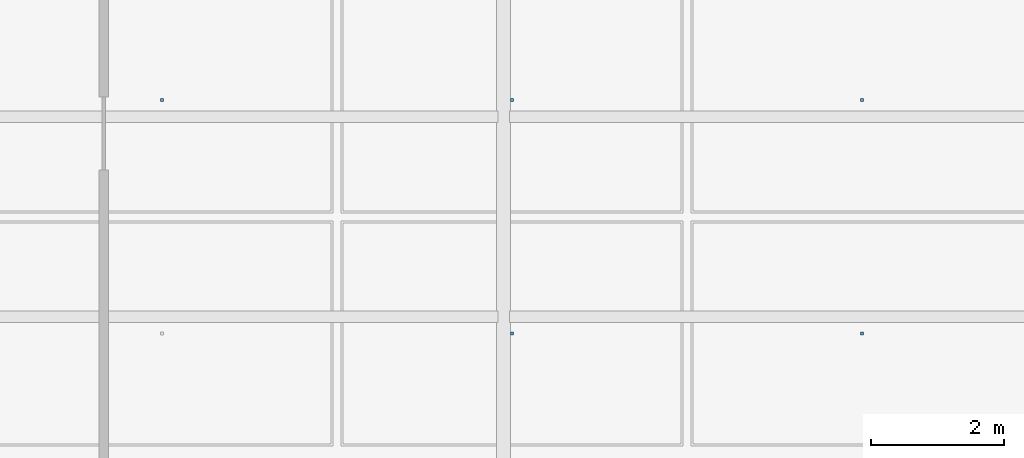
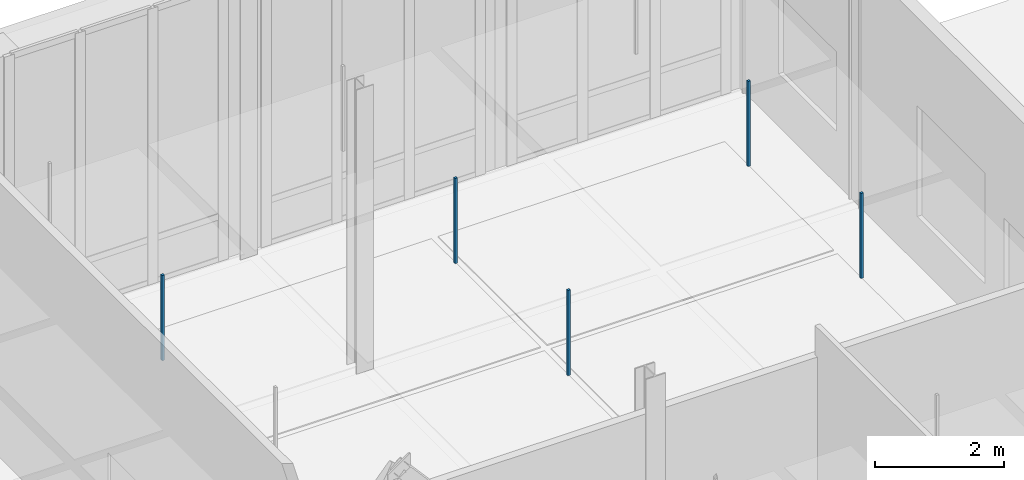
# One storey, part 141 of 180: 5 discrete accessories.
"""IFC4 building model written with IfcOpenShell, lengths in metres."""

from ifc_helpers import new_model, si_unit, direction, frame, origin, origin_2d, place, context, subcontext, project, spatial, rectangle, extrude, material, type_object, element, save


model = new_model("IFC4")

# Units and contexts
model_context = context("Model", 3, precision=1e-05, world=origin(), true_north=direction((0.0, 1.0)))
body_context = subcontext(model_context, "Body", "Model", "MODEL_VIEW")
ifc_project = project(units=[si_unit("LENGTHUNIT", "METRE"), si_unit("AREAUNIT", "SQUARE_METRE"), si_unit("VOLUMEUNIT", "CUBIC_METRE"), si_unit("PLANEANGLEUNIT", "RADIAN"), si_unit("MASSUNIT", "GRAM", prefix="KILO"), si_unit("THERMODYNAMICTEMPERATUREUNIT", "KELVIN"), si_unit("POWERUNIT", "WATT")], contexts=[model_context])

# Site, building, storey
site_placement = place(None, origin())
site = spatial("IfcSite", under=ifc_project, at=site_placement, CompositionType="ELEMENT")
building_placement = place(site_placement, origin())
building = spatial("IfcBuilding", under=site, at=building_placement, Name="Tallowbark Science Centre", CompositionType="ELEMENT")
storey_placement = place(building_placement, origin())
storey = spatial("IfcBuildingStorey", under=building, at=storey_placement, Name="L00", CompositionType="ELEMENT", Elevation=0.0)

# Discrete accessories
ifc_material = material(Name="Galvanised Steel Grade C350L0 (350 MPa)", Category="steel")
discrete_accessory_type = type_object("IfcDiscreteAccessoryType", Name="ACC-CLG-HNG", PredefinedType="BRACKET", material=ifc_material)
for number, where, z_axis, x_axis, name in (
    (1, (84.875, 105.25, 3.609375), (0.0, 0.0, 1.0), (1.0, 0.0, 0.0), "Ceiling Hanger Bracket L00-413"),
    (2, (90.125, 101.75, 3.609375), (0.0, 0.0, 1.0), (1.0, 0.0, 0.0), "Ceiling Hanger Bracket L00-415"),
    (3, (90.125, 105.25, 3.609375), (0.0, 0.0, 1.0), (1.0, 0.0, 0.0), "Ceiling Hanger Bracket L00-416"),
    (4, (95.375, 101.75, 3.609375), (0.0, 0.0, 1.0), (1.0, 0.0, 0.0), "Ceiling Hanger Bracket L00-418"),
    (5, (95.375, 105.25, 3.609375), (0.0, 0.0, 1.0), (1.0, 0.0, 0.0), "Ceiling Hanger Bracket L00-419"),
):
    element("IfcDiscreteAccessory", number, at=place(storey_placement, frame(where, z_axis=z_axis, x_axis=x_axis)), inside=storey, type_object=discrete_accessory_type, Name=name, PredefinedType="BRACKET", context=body_context, shape_type="SweptSolid", body=[
        extrude(rectangle(XDim=0.044921875, YDim=0.044921875, at=origin_2d()), origin(), (0.0, 0.0, 1.0), 1.613525390625),
    ])

save(model, "model.ifc")
